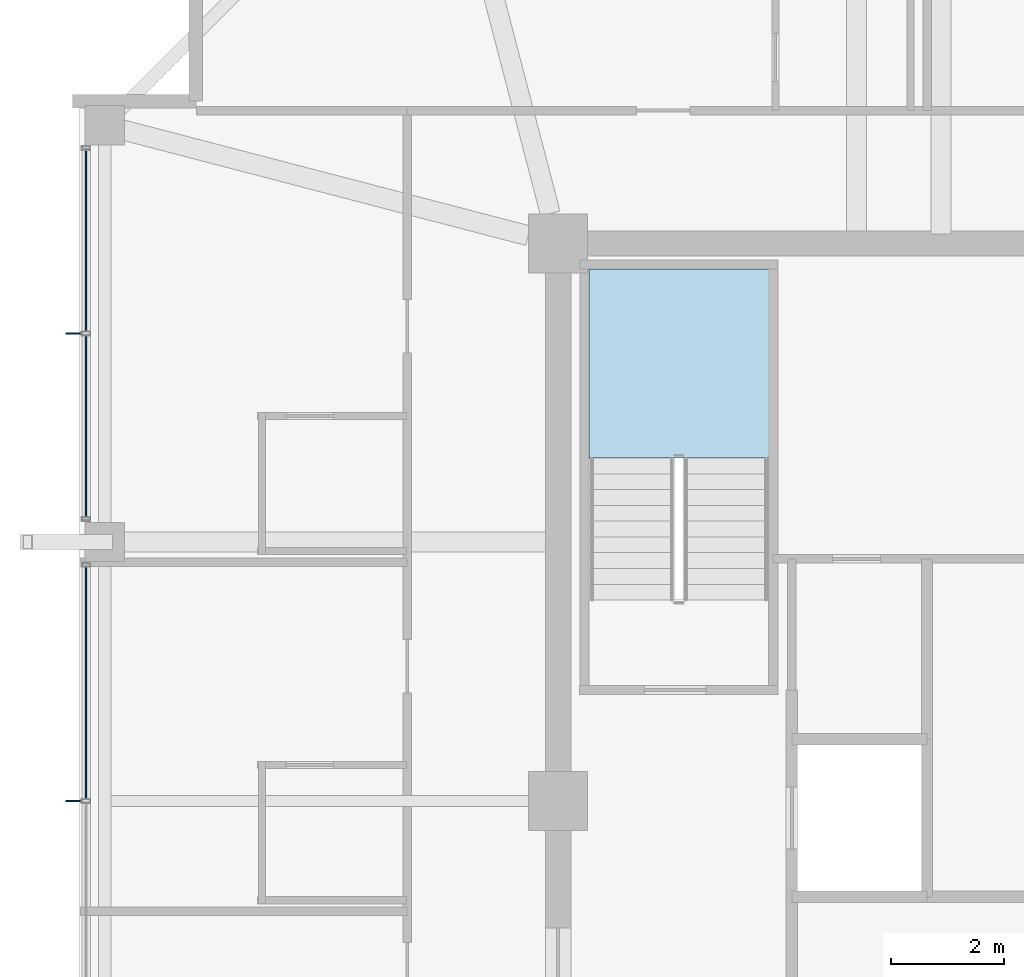
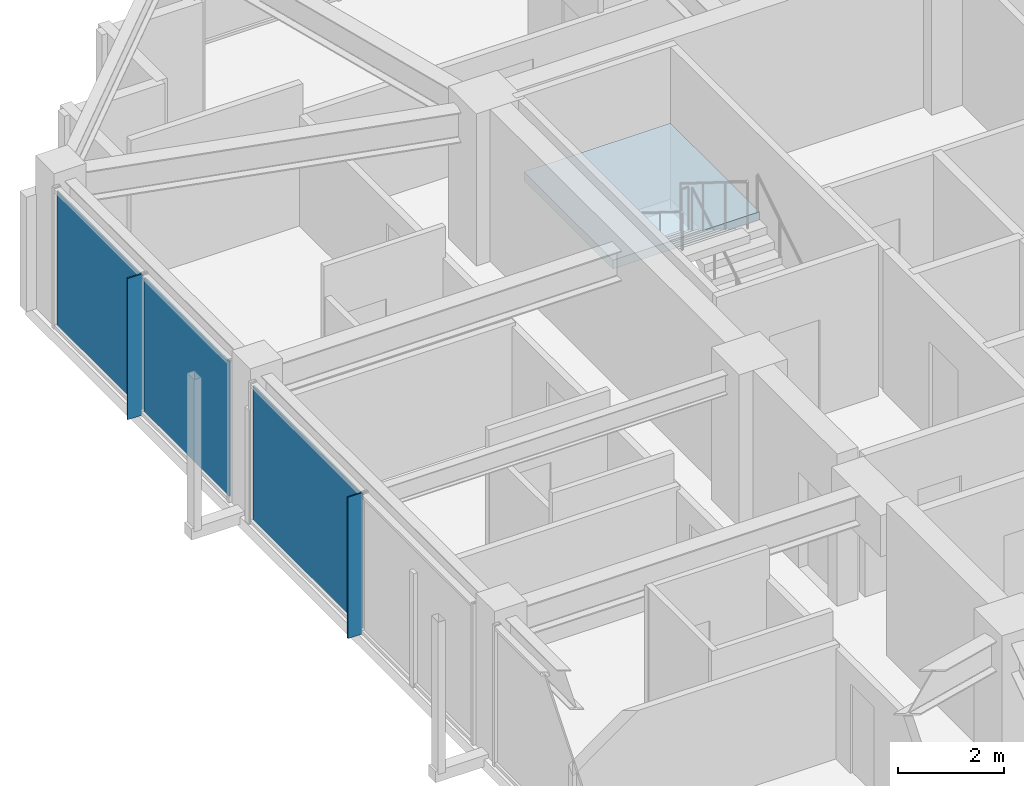
# One storey, part 22 of 31: 5 plates, 1 slab, 3 elements without a shape of their own.
"""IFC4 building model written with IfcOpenShell, lengths in metres."""

from ifc_helpers import new_model, si_unit, direction, frame, origin, origin_2d, place, context, subcontext, project, spatial, polyline, rectangle, outline, extrude, material, layer, layer_set, type_object, element, aggregate, save


model = new_model("IFC4")

# Units and contexts
model_context = context("Model", 3, precision=1e-05, world=origin(), true_north=direction((0.0, 1.0)))
body_context = subcontext(model_context, "Body", "Model", "MODEL_VIEW")
ifc_project = project(units=[si_unit("LENGTHUNIT", "METRE"), si_unit("AREAUNIT", "SQUARE_METRE"), si_unit("VOLUMEUNIT", "CUBIC_METRE"), si_unit("PLANEANGLEUNIT", "RADIAN"), si_unit("MASSUNIT", "GRAM", prefix="KILO")], contexts=[model_context])

# Site, building, storey
site_placement = place(None, origin())
site = spatial("IfcSite", under=ifc_project, at=site_placement, CompositionType="ELEMENT")
building_placement = place(site_placement, origin())
building = spatial("IfcBuilding", under=site, at=building_placement, Name="Kolvaren Belvedere", CompositionType="ELEMENT")
storey_placement = place(building_placement, frame((0.0, 0.0, 247.89990234375)))
storey = spatial("IfcBuildingStorey", under=building, at=storey_placement, Name="L72", CompositionType="ELEMENT", Elevation=247.89990234375)

# Curtain wall, plate
ifc_material_1 = material(Name="Anodised pale-metal aluminium AA 6063-T6", Category="aluminium")
curtain_wall_type = type_object("IfcCurtainWallType", Name="CW-Z5-HIGH", PredefinedType="NOTDEFINED", material=ifc_material_1)
curtain_wall_1_placement = place(storey_placement, origin())
curtain_wall_1 = element("IfcCurtainWall", 1, at=curtain_wall_1_placement, inside=storey, type_object=curtain_wall_type, Name="L72 Unitised Curtain Wall FCW-L72-W-B2", PredefinedType="NOTDEFINED")
ifc_material_2 = material(Name="Low-iron triple insulated glass", Category="glass")
ifc_layer_1 = layer(ifc_material_2, 0.028076171875)
ifc_layer_set_1 = layer_set([ifc_layer_1], Name="Low-iron triple insulated glass")
plate_type_1 = type_object("IfcPlateType", Name="CW-PNL-VIS28", PredefinedType="CURTAIN_PANEL", material=ifc_layer_set_1)
plate_1_placement = place(storey_placement, frame((-18.280029296875, 2.097412109375, 0.080078125), z_axis=(0.0, 0.0, 1.0), x_axis=(0.0, 1.0, 0.0)))
plate_1 = element("IfcPlate", 2, at=plate_1_placement, type_object=plate_type_1, Name="FCW-L72-W-B2 Vision Glazing Panel 2", PredefinedType="CURTAIN_PANEL", context=body_context, shape_type="SweptSolid", body=[
    extrude(rectangle(XDim=4.114990234375, YDim=0.028076171875, at=origin_2d()), origin(), (0.0, 0.0, 1.0), 3.090087890625),
])
aggregate(curtain_wall_1, [plate_1])

# Curtain wall, plates
curtain_wall_2_placement = place(storey_placement, origin())
curtain_wall_2 = element("IfcCurtainWall", 3, at=curtain_wall_2_placement, inside=storey, type_object=curtain_wall_type, Name="L72 Unitised Curtain Wall FCW-L72-W-B3", PredefinedType="NOTDEFINED")
plate_2_placement = place(storey_placement, frame((-18.280029296875, 6.652587890625, 0.080078125), z_axis=(0.0, 0.0, 1.0), x_axis=(0.0, 1.0, 0.0)))
plate_2 = element("IfcPlate", 4, at=plate_2_placement, type_object=plate_type_1, Name="FCW-L72-W-B3 Vision Glazing Panel 1", PredefinedType="CURTAIN_PANEL", context=body_context, shape_type="SweptSolid", body=[
    extrude(rectangle(XDim=3.215087890625, YDim=0.028076171875, at=origin_2d()), origin(), (0.0, 0.0, 1.0), 3.090087890625),
])
plate_3_placement = place(storey_placement, frame((-18.280029296875, 9.947509765625, 0.080078125), z_axis=(0.0, 0.0, 1.0), x_axis=(0.0, 1.0, 0.0)))
plate_3 = element("IfcPlate", 5, at=plate_3_placement, type_object=plate_type_1, Name="FCW-L72-W-B3 Vision Glazing Panel 2", PredefinedType="CURTAIN_PANEL", context=body_context, shape_type="SweptSolid", body=[
    extrude(rectangle(XDim=3.215087890625, YDim=0.028076171875, at=origin_2d()), origin(), (0.0, 0.0, 1.0), 3.090087890625),
])
aggregate(curtain_wall_2, [plate_2, plate_3])

# Plates
ifc_material_3 = material(Name="Anodised pale-metal aluminium AA 6063-T6", Category="aluminium")
ifc_layer_2 = layer(ifc_material_3, 0.030029296875)
ifc_layer_set_2 = layer_set([ifc_layer_2], Name="Anodised pale-metal aluminium AA 6063-T6")
plate_type_2 = type_object("IfcPlateType", Name="FIN-VERT-300", PredefinedType="USERDEFINED", material=ifc_layer_set_2)
for number, where, z_axis, x_axis, name in (
    (6, (-18.489990234375, 0.0, 0.0), (0.0, 0.0, 1.0), (1.0, 0.0, 0.0), "L72 Pale-Metal Vertical Shading Fin FCW-L72-W-B2-1"),
    (7, (-18.489990234375, 8.300048828125, 0.0), (0.0, 0.0, 1.0), (1.0, 0.0, 0.0), "L72 Pale-Metal Vertical Shading Fin FCW-L72-W-B3-1"),
):
    element("IfcPlate", number, at=place(storey_placement, frame(where, z_axis=z_axis, x_axis=x_axis)), inside=storey, type_object=plate_type_2, Name=name, ObjectType="VERTICAL FIN", PredefinedType="USERDEFINED", context=body_context, shape_type="SweptSolid", body=[
        extrude(rectangle(XDim=0.300048828125, YDim=0.030029296875, at=origin_2d()), origin(), (0.0, 0.0, 1.0), 3.25),
    ])

# Stair, slab
ifc_material_4 = material(Name="Concrete C50/60", Category="concrete")
stair_type = type_object("IfcStairType", Name="ST-CORE-1520", PredefinedType="HALF_TURN_STAIR", material=ifc_material_4)
stair_placement = place(storey_placement, origin())
stair = element("IfcStair", 8, at=stair_placement, inside=storey, type_object=stair_type, Name="L72 Protected Exit Stair ST-1", PredefinedType="HALF_TURN_STAIR")
ifc_material_5 = material(Name="Concrete C50/60", Category="concrete")
ifc_layer_3 = layer(ifc_material_5, 0.260009765625)
ifc_layer_set_3 = layer_set([ifc_layer_3], Name="Concrete C50/60")
slab_type = type_object("IfcSlabType", Name="SL-LAND-260", PredefinedType="LANDING", material=ifc_layer_set_3)
slab_placement = place(storey_placement, frame((0.0, 0.0, 1.550048828125)))
slab = element("IfcSlab", 9, at=slab_placement, type_object=slab_type, Name="ST-1 landing 1", PredefinedType="LANDING", context=body_context, shape_type="SweptSolid", body=[
    extrude(outline(polyline([(-6.159912109375, 6.090087890625), (-6.159912109375, 9.449951171875), (-9.35009765625, 9.449951171875), (-9.35009765625, 6.090087890625), (-6.159912109375, 6.090087890625)])), origin(), (0.0, 0.0, 1.0), 0.199951171875),
])
aggregate(stair, [slab])

save(model, "model.ifc")
